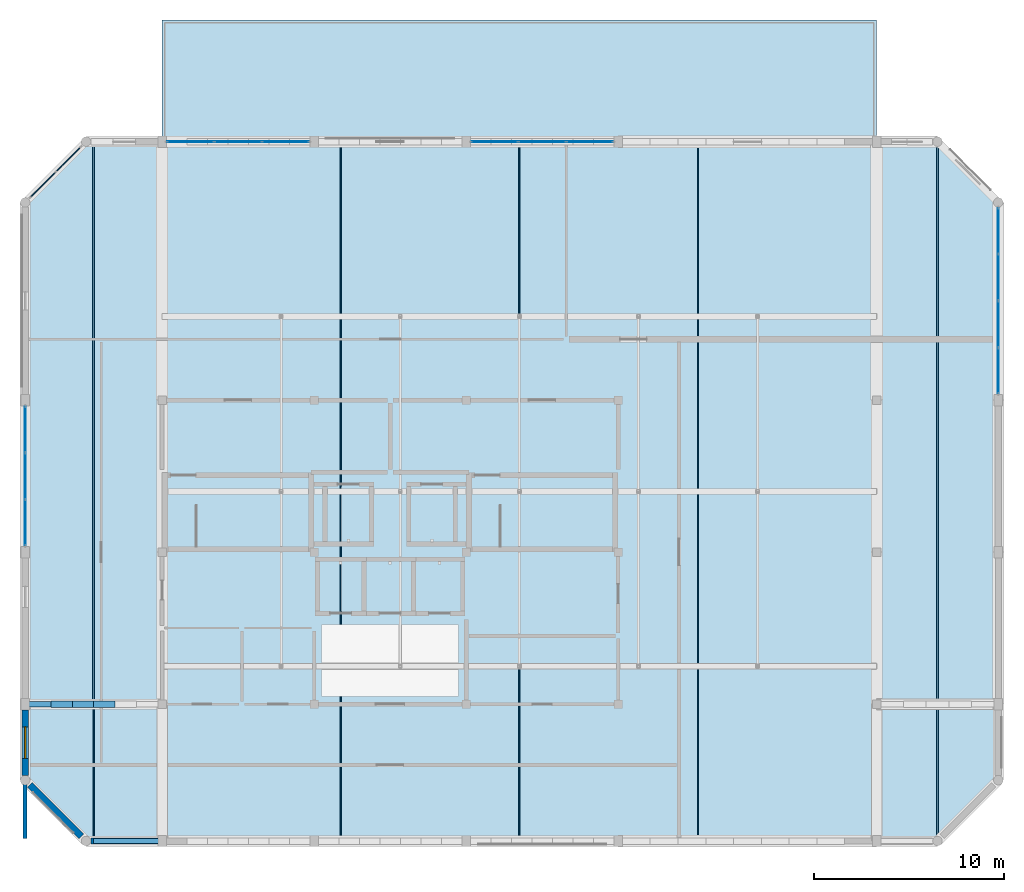
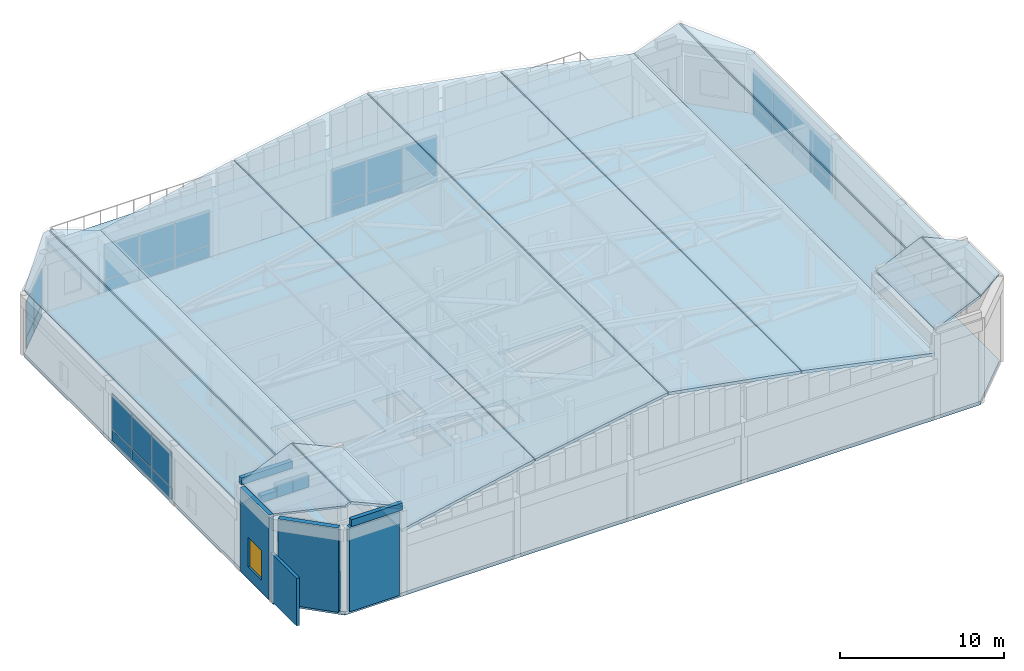
# One storey, part 18 of 24: 30 plates, 14 slabs, 9 walls, 1 window, 1 opening, 5 elements without a shape of their own.
"""IFC4 building model written with IfcOpenShell, lengths in metres."""

from ifc_helpers import new_model, si_unit, direction, frame, frame_2d, origin, origin_2d, place, context, subcontext, project, spatial, polyline, rectangle, outline, extrude, material, layer, layer_set, type_object, element, fill, aggregate, save


model = new_model("IFC4")

# Units and contexts
model_context = context("Model", 3, precision=1e-05, world=origin(), true_north=direction((0.0, 1.0)))
body_context = subcontext(model_context, "Body", "Model", "MODEL_VIEW")
ifc_project = project(units=[si_unit("LENGTHUNIT", "METRE"), si_unit("AREAUNIT", "SQUARE_METRE"), si_unit("VOLUMEUNIT", "CUBIC_METRE"), si_unit("PLANEANGLEUNIT", "RADIAN"), si_unit("MASSUNIT", "GRAM", prefix="KILO")], contexts=[model_context])

# Site, building, storey
site_placement = place(None, origin())
site = spatial("IfcSite", under=ifc_project, at=site_placement, CompositionType="ELEMENT")
building_placement = place(site_placement, origin())
building = spatial("IfcBuilding", under=site, at=building_placement, Name="Vellmiral Cinema and Media Centre", CompositionType="ELEMENT")
storey_placement = place(building_placement, frame((0.0, 0.0, 66.60009765625)))
storey = spatial("IfcBuildingStorey", under=building, at=storey_placement, Name="L16", CompositionType="ELEMENT", Elevation=66.60009765625)

# Curtain wall, plates
ifc_material_1 = material(Name="Thermally Broken Aluminium and Triple Glazing", Category="aluminium")
curtain_wall_type = type_object("IfcCurtainWallType", Name="CW-TOWER-HIGH", PredefinedType="USERDEFINED", material=ifc_material_1)
curtain_wall_1_placement = place(storey_placement, origin())
curtain_wall_1 = element("IfcCurtainWall", 1, at=curtain_wall_1_placement, inside=storey, type_object=curtain_wall_type, Name="Curtain Wall L16-B011", ObjectType="UNITISED CURTAIN WALL", PredefinedType="USERDEFINED")
ifc_material_2 = material(Name="Solar-Control Acoustic Triple Glazing", Category="glass")
ifc_layer_1 = layer(ifc_material_2, 0.0419921875, Name="Solar-Control Acoustic Triple Glazing")
ifc_layer_set_1 = layer_set([ifc_layer_1], Name="Solar-Control Acoustic Triple Glazing")
plate_type_1 = type_object("IfcPlateType", Name="CWP-SOLAR-42", PredefinedType="CURTAIN_PANEL", material=ifc_layer_set_1)
plate_1_placement = place(storey_placement, frame((168.0, 96.746337890625, 0.929931640625), z_axis=(0.0, 0.0, 1.0), x_axis=(0.0, 1.0, 0.0)))
plate_1 = element("IfcPlate", 2, at=plate_1_placement, type_object=plate_type_1, Name="CW-09 panel 1.2", PredefinedType="CURTAIN_PANEL", context=body_context, shape_type="SweptSolid", body=[
    extrude(rectangle(XDim=2.37255859375, YDim=0.0419921875, at=origin_2d()), origin(), (0.0, 0.0, 1.0), 2.60009765625),
])
plate_2_placement = place(storey_placement, frame((168.0, 99.19384765625, 0.929931640625), z_axis=(0.0, 0.0, 1.0), x_axis=(0.0, 1.0, 0.0)))
plate_2 = element("IfcPlate", 3, at=plate_2_placement, type_object=plate_type_1, Name="CW-09 panel 2.2", PredefinedType="CURTAIN_PANEL", context=body_context, shape_type="SweptSolid", body=[
    extrude(rectangle(XDim=2.402587890625, YDim=0.0419921875, at=origin_2d()), origin(), (0.0, 0.0, 1.0), 2.60009765625),
])
plate_3_placement = place(storey_placement, frame((168.0, 101.65625, 0.929931640625), z_axis=(0.0, 0.0, 1.0), x_axis=(0.0, 1.0, 0.0)))
plate_3 = element("IfcPlate", 4, at=plate_3_placement, type_object=plate_type_1, Name="CW-09 panel 3.2", PredefinedType="CURTAIN_PANEL", context=body_context, shape_type="SweptSolid", body=[
    extrude(rectangle(XDim=2.402587890625, YDim=0.0419921875, at=origin_2d()), origin(), (0.0, 0.0, 1.0), 2.60009765625),
])
plate_4_placement = place(storey_placement, frame((168.0, 104.103759765625, 0.929931640625), z_axis=(0.0, 0.0, 1.0), x_axis=(0.0, 1.0, 0.0)))
plate_4 = element("IfcPlate", 5, at=plate_4_placement, type_object=plate_type_1, Name="CW-09 panel 4.2", PredefinedType="CURTAIN_PANEL", context=body_context, shape_type="SweptSolid", body=[
    extrude(rectangle(XDim=2.37255859375, YDim=0.0419921875, at=origin_2d()), origin(), (0.0, 0.0, 1.0), 2.60009765625),
])

curtain_wall_2_placement = place(storey_placement, origin())
curtain_wall_2 = element("IfcCurtainWall", 6, at=curtain_wall_2_placement, inside=storey, type_object=curtain_wall_type, Name="Curtain Wall L16-B015", ObjectType="UNITISED CURTAIN WALL", PredefinedType="USERDEFINED")
plate_5_placement = place(storey_placement, frame((146.501708984375, 108.800048828125, 0.929931640625), z_axis=(0.0, 0.0, 1.0), x_axis=(-1.0, 0.0, 0.0)))
plate_5 = element("IfcPlate", 7, at=plate_5_placement, type_object=plate_type_1, Name="CW-09 panel 1.2", PredefinedType="CURTAIN_PANEL", context=body_context, shape_type="SweptSolid", body=[
    extrude(rectangle(XDim=2.4267578125, YDim=0.0419921875, at=origin_2d()), origin(), (0.0, 0.0, 1.0), 2.60009765625),
])
plate_6_placement = place(storey_placement, frame((144.0, 108.800048828125, 0.929931640625), z_axis=(0.0, 0.0, 1.0), x_axis=(-1.0, 0.0, 0.0)))
plate_6 = element("IfcPlate", 8, at=plate_6_placement, type_object=plate_type_1, Name="CW-09 panel 2.2", PredefinedType="CURTAIN_PANEL", context=body_context, shape_type="SweptSolid", body=[
    extrude(rectangle(XDim=2.456787109375, YDim=0.0419921875, at=origin_2d()), origin(), (0.0, 0.0, 1.0), 2.60009765625),
])
plate_7_placement = place(storey_placement, frame((141.498291015625, 108.800048828125, 0.929931640625), z_axis=(0.0, 0.0, 1.0), x_axis=(-1.0, 0.0, 0.0)))
plate_7 = element("IfcPlate", 9, at=plate_7_placement, type_object=plate_type_1, Name="CW-09 panel 3.2", PredefinedType="CURTAIN_PANEL", context=body_context, shape_type="SweptSolid", body=[
    extrude(rectangle(XDim=2.4267578125, YDim=0.0419921875, at=origin_2d()), origin(), (0.0, 0.0, 1.0), 2.60009765625),
])

curtain_wall_3_placement = place(storey_placement, origin())
curtain_wall_3 = element("IfcCurtainWall", 10, at=curtain_wall_3_placement, inside=storey, type_object=curtain_wall_type, Name="Curtain Wall L16-B017", ObjectType="UNITISED CURTAIN WALL", PredefinedType="USERDEFINED")
plate_8_placement = place(storey_placement, frame((130.501708984375, 108.800048828125, 0.929931640625), z_axis=(0.0, 0.0, 1.0), x_axis=(-1.0, 0.0, 0.0)))
plate_8 = element("IfcPlate", 11, at=plate_8_placement, type_object=plate_type_1, Name="CW-09 panel 1.2", PredefinedType="CURTAIN_PANEL", context=body_context, shape_type="SweptSolid", body=[
    extrude(rectangle(XDim=2.4267578125, YDim=0.0419921875, at=origin_2d()), origin(), (0.0, 0.0, 1.0), 2.60009765625),
])
plate_9_placement = place(storey_placement, frame((128.0, 108.800048828125, 0.929931640625), z_axis=(0.0, 0.0, 1.0), x_axis=(-1.0, 0.0, 0.0)))
plate_9 = element("IfcPlate", 12, at=plate_9_placement, type_object=plate_type_1, Name="CW-09 panel 2.2", PredefinedType="CURTAIN_PANEL", context=body_context, shape_type="SweptSolid", body=[
    extrude(rectangle(XDim=2.456787109375, YDim=0.0419921875, at=origin_2d()), origin(), (0.0, 0.0, 1.0), 2.60009765625),
])
plate_10_placement = place(storey_placement, frame((125.498291015625, 108.800048828125, 0.929931640625), z_axis=(0.0, 0.0, 1.0), x_axis=(-1.0, 0.0, 0.0)))
plate_10 = element("IfcPlate", 13, at=plate_10_placement, type_object=plate_type_1, Name="CW-09 panel 3.2", PredefinedType="CURTAIN_PANEL", context=body_context, shape_type="SweptSolid", body=[
    extrude(rectangle(XDim=2.4267578125, YDim=0.0419921875, at=origin_2d()), origin(), (0.0, 0.0, 1.0), 2.60009765625),
])

curtain_wall_4_placement = place(storey_placement, origin())
curtain_wall_4 = element("IfcCurtainWall", 14, at=curtain_wall_4_placement, inside=storey, type_object=curtain_wall_type, Name="Curtain Wall L16-B019", ObjectType="UNITISED CURTAIN WALL", PredefinedType="USERDEFINED")
plate_11_placement = place(storey_placement, frame((119.064453125, 107.864501953125, 0.929931640625), z_axis=(0.0, 0.0, 1.0), x_axis=(-0.707106781187, -0.707106781187, 0.0)))
plate_11 = element("IfcPlate", 15, at=plate_11_placement, type_object=plate_type_1, Name="CW-09 panel 1.2", PredefinedType="CURTAIN_PANEL", context=body_context, shape_type="SweptSolid", body=[
    extrude(rectangle(XDim=1.819091796875, YDim=0.0419921875, at=origin_2d()), origin(), (0.0, 0.0, 1.0), 2.6298828125),
])
plate_12_placement = place(storey_placement, frame((117.735595703125, 106.53564453125, 0.929931640625), z_axis=(0.0, 0.0, 1.0), x_axis=(-0.707106781187, -0.707106781187, 0.0)))
plate_12 = element("IfcPlate", 16, at=plate_12_placement, type_object=plate_type_1, Name="CW-09 panel 2.2", PredefinedType="CURTAIN_PANEL", context=body_context, shape_type="SweptSolid", body=[
    extrude(rectangle(XDim=1.819091796875, YDim=0.0419921875, at=origin_2d()), origin(), (0.0, 0.0, 1.0), 2.6298828125),
])

curtain_wall_5_placement = place(storey_placement, origin())
curtain_wall_5 = element("IfcCurtainWall", 17, at=curtain_wall_5_placement, inside=storey, type_object=curtain_wall_type, Name="Curtain Wall L16-B021", ObjectType="UNITISED CURTAIN WALL", PredefinedType="USERDEFINED")
plate_13_placement = place(storey_placement, frame((116.800048828125, 93.651611328125, 0.929931640625), z_axis=(0.0, 0.0, 1.0), x_axis=(0.0, -1.0, 0.0)))
plate_13 = element("IfcPlate", 18, at=plate_13_placement, type_object=plate_type_1, Name="CW-09 panel 1.2", PredefinedType="CURTAIN_PANEL", context=body_context, shape_type="SweptSolid", body=[
    extrude(rectangle(XDim=2.376708984375, YDim=0.0419921875, at=origin_2d()), origin(), (0.0, 0.0, 1.0), 2.6298828125),
])
plate_14_placement = place(storey_placement, frame((116.800048828125, 91.199951171875, 0.929931640625), z_axis=(0.0, 0.0, 1.0), x_axis=(0.0, -1.0, 0.0)))
plate_14 = element("IfcPlate", 19, at=plate_14_placement, type_object=plate_type_1, Name="CW-09 panel 2.2", PredefinedType="CURTAIN_PANEL", context=body_context, shape_type="SweptSolid", body=[
    extrude(rectangle(XDim=2.40673828125, YDim=0.0419921875, at=origin_2d()), origin(), (0.0, 0.0, 1.0), 2.6298828125),
])
plate_15_placement = place(storey_placement, frame((116.800048828125, 88.748291015625, 0.929931640625), z_axis=(0.0, 0.0, 1.0), x_axis=(0.0, -1.0, 0.0)))
plate_15 = element("IfcPlate", 20, at=plate_15_placement, type_object=plate_type_1, Name="CW-09 panel 3.2", PredefinedType="CURTAIN_PANEL", context=body_context, shape_type="SweptSolid", body=[
    extrude(rectangle(XDim=2.376708984375, YDim=0.0419921875, at=origin_2d()), origin(), (0.0, 0.0, 1.0), 2.6298828125),
])

# Plate
ifc_material_3 = material(Name="Polychrome Trencadis Ceramic Spandrel Panel", Category="ceramic")
ifc_layer_2 = layer(ifc_material_3, 0.052001953125, Name="Polychrome Trencadis Ceramic Spandrel Panel")
ifc_layer_set_2 = layer_set([ifc_layer_2], Name="Polychrome Trencadis Ceramic Spandrel Panel")
plate_type_2 = type_object("IfcPlateType", Name="CWP-TRENC-52", PredefinedType="CURTAIN_PANEL", material=ifc_layer_set_2)
plate_16_placement = place(storey_placement, frame((168.0, 96.746337890625, 0.059814453125), z_axis=(0.0, 0.0, 1.0), x_axis=(0.0, 1.0, 0.0)))
plate_16 = element("IfcPlate", 21, at=plate_16_placement, type_object=plate_type_2, Name="CW-09 panel 1.1", PredefinedType="CURTAIN_PANEL", context=body_context, shape_type="SweptSolid", body=[
    extrude(rectangle(XDim=2.37255859375, YDim=0.052001953125, at=origin_2d()), origin(), (0.0, 0.0, 1.0), 0.81005859375),
])

plate_17_placement = place(storey_placement, frame((168.0, 99.19384765625, 0.059814453125), z_axis=(0.0, 0.0, 1.0), x_axis=(0.0, 1.0, 0.0)))
plate_17 = element("IfcPlate", 22, at=plate_17_placement, type_object=plate_type_2, Name="CW-09 panel 2.1", PredefinedType="CURTAIN_PANEL", context=body_context, shape_type="SweptSolid", body=[
    extrude(rectangle(XDim=2.402587890625, YDim=0.052001953125, at=origin_2d()), origin(), (0.0, 0.0, 1.0), 0.81005859375),
])

plate_18_placement = place(storey_placement, frame((168.0, 101.65625, 0.059814453125), z_axis=(0.0, 0.0, 1.0), x_axis=(0.0, 1.0, 0.0)))
plate_18 = element("IfcPlate", 23, at=plate_18_placement, type_object=plate_type_2, Name="CW-09 panel 3.1", PredefinedType="CURTAIN_PANEL", context=body_context, shape_type="SweptSolid", body=[
    extrude(rectangle(XDim=2.402587890625, YDim=0.052001953125, at=origin_2d()), origin(), (0.0, 0.0, 1.0), 0.81005859375),
])

plate_19_placement = place(storey_placement, frame((168.0, 104.103759765625, 0.059814453125), z_axis=(0.0, 0.0, 1.0), x_axis=(0.0, 1.0, 0.0)))
plate_19 = element("IfcPlate", 24, at=plate_19_placement, type_object=plate_type_2, Name="CW-09 panel 4.1", PredefinedType="CURTAIN_PANEL", context=body_context, shape_type="SweptSolid", body=[
    extrude(rectangle(XDim=2.37255859375, YDim=0.052001953125, at=origin_2d()), origin(), (0.0, 0.0, 1.0), 0.81005859375),
])

aggregate(curtain_wall_1, [plate_16, plate_1, plate_17, plate_2, plate_18, plate_3, plate_19, plate_4])

plate_20_placement = place(storey_placement, frame((146.501708984375, 108.800048828125, 0.059814453125), z_axis=(0.0, 0.0, 1.0), x_axis=(-1.0, 0.0, 0.0)))
plate_20 = element("IfcPlate", 25, at=plate_20_placement, type_object=plate_type_2, Name="CW-09 panel 1.1", PredefinedType="CURTAIN_PANEL", context=body_context, shape_type="SweptSolid", body=[
    extrude(rectangle(XDim=2.4267578125, YDim=0.052001953125, at=origin_2d()), origin(), (0.0, 0.0, 1.0), 0.81005859375),
])

plate_21_placement = place(storey_placement, frame((144.0, 108.800048828125, 0.059814453125), z_axis=(0.0, 0.0, 1.0), x_axis=(-1.0, 0.0, 0.0)))
plate_21 = element("IfcPlate", 26, at=plate_21_placement, type_object=plate_type_2, Name="CW-09 panel 2.1", PredefinedType="CURTAIN_PANEL", context=body_context, shape_type="SweptSolid", body=[
    extrude(rectangle(XDim=2.456787109375, YDim=0.052001953125, at=origin_2d()), origin(), (0.0, 0.0, 1.0), 0.81005859375),
])

plate_22_placement = place(storey_placement, frame((141.498291015625, 108.800048828125, 0.059814453125), z_axis=(0.0, 0.0, 1.0), x_axis=(-1.0, 0.0, 0.0)))
plate_22 = element("IfcPlate", 27, at=plate_22_placement, type_object=plate_type_2, Name="CW-09 panel 3.1", PredefinedType="CURTAIN_PANEL", context=body_context, shape_type="SweptSolid", body=[
    extrude(rectangle(XDim=2.4267578125, YDim=0.052001953125, at=origin_2d()), origin(), (0.0, 0.0, 1.0), 0.81005859375),
])

aggregate(curtain_wall_2, [plate_20, plate_5, plate_21, plate_6, plate_22, plate_7])

plate_23_placement = place(storey_placement, frame((130.501708984375, 108.800048828125, 0.059814453125), z_axis=(0.0, 0.0, 1.0), x_axis=(-1.0, 0.0, 0.0)))
plate_23 = element("IfcPlate", 28, at=plate_23_placement, type_object=plate_type_2, Name="CW-09 panel 1.1", PredefinedType="CURTAIN_PANEL", context=body_context, shape_type="SweptSolid", body=[
    extrude(rectangle(XDim=2.4267578125, YDim=0.052001953125, at=origin_2d()), origin(), (0.0, 0.0, 1.0), 0.81005859375),
])

plate_24_placement = place(storey_placement, frame((128.0, 108.800048828125, 0.059814453125), z_axis=(0.0, 0.0, 1.0), x_axis=(-1.0, 0.0, 0.0)))
plate_24 = element("IfcPlate", 29, at=plate_24_placement, type_object=plate_type_2, Name="CW-09 panel 2.1", PredefinedType="CURTAIN_PANEL", context=body_context, shape_type="SweptSolid", body=[
    extrude(rectangle(XDim=2.456787109375, YDim=0.052001953125, at=origin_2d()), origin(), (0.0, 0.0, 1.0), 0.81005859375),
])

plate_25_placement = place(storey_placement, frame((125.498291015625, 108.800048828125, 0.059814453125), z_axis=(0.0, 0.0, 1.0), x_axis=(-1.0, 0.0, 0.0)))
plate_25 = element("IfcPlate", 30, at=plate_25_placement, type_object=plate_type_2, Name="CW-09 panel 3.1", PredefinedType="CURTAIN_PANEL", context=body_context, shape_type="SweptSolid", body=[
    extrude(rectangle(XDim=2.4267578125, YDim=0.052001953125, at=origin_2d()), origin(), (0.0, 0.0, 1.0), 0.81005859375),
])

aggregate(curtain_wall_3, [plate_23, plate_8, plate_24, plate_9, plate_25, plate_10])

plate_26_placement = place(storey_placement, frame((119.064453125, 107.864501953125, 0.059814453125), z_axis=(0.0, 0.0, 1.0), x_axis=(-0.707106781187, -0.707106781187, 0.0)))
plate_26 = element("IfcPlate", 31, at=plate_26_placement, type_object=plate_type_2, Name="CW-09 panel 1.1", PredefinedType="CURTAIN_PANEL", context=body_context, shape_type="SweptSolid", body=[
    extrude(rectangle(XDim=1.819091796875, YDim=0.052001953125, at=origin_2d()), origin(), (0.0, 0.0, 1.0), 0.81005859375),
])

plate_27_placement = place(storey_placement, frame((117.735595703125, 106.53564453125, 0.059814453125), z_axis=(0.0, 0.0, 1.0), x_axis=(-0.707106781187, -0.707106781187, 0.0)))
plate_27 = element("IfcPlate", 32, at=plate_27_placement, type_object=plate_type_2, Name="CW-09 panel 2.1", PredefinedType="CURTAIN_PANEL", context=body_context, shape_type="SweptSolid", body=[
    extrude(rectangle(XDim=1.819091796875, YDim=0.052001953125, at=origin_2d()), origin(), (0.0, 0.0, 1.0), 0.81005859375),
])

aggregate(curtain_wall_4, [plate_26, plate_11, plate_27, plate_12])

plate_28_placement = place(storey_placement, frame((116.800048828125, 93.651611328125, 0.059814453125), z_axis=(0.0, 0.0, 1.0), x_axis=(0.0, -1.0, 0.0)))
plate_28 = element("IfcPlate", 33, at=plate_28_placement, type_object=plate_type_2, Name="CW-09 panel 1.1", PredefinedType="CURTAIN_PANEL", context=body_context, shape_type="SweptSolid", body=[
    extrude(rectangle(XDim=2.376708984375, YDim=0.052001953125, at=origin_2d()), origin(), (0.0, 0.0, 1.0), 0.81005859375),
])

plate_29_placement = place(storey_placement, frame((116.800048828125, 91.199951171875, 0.059814453125), z_axis=(0.0, 0.0, 1.0), x_axis=(0.0, -1.0, 0.0)))
plate_29 = element("IfcPlate", 34, at=plate_29_placement, type_object=plate_type_2, Name="CW-09 panel 2.1", PredefinedType="CURTAIN_PANEL", context=body_context, shape_type="SweptSolid", body=[
    extrude(rectangle(XDim=2.40673828125, YDim=0.052001953125, at=origin_2d()), origin(), (0.0, 0.0, 1.0), 0.81005859375),
])

plate_30_placement = place(storey_placement, frame((116.800048828125, 88.748291015625, 0.059814453125), z_axis=(0.0, 0.0, 1.0), x_axis=(0.0, -1.0, 0.0)))
plate_30 = element("IfcPlate", 35, at=plate_30_placement, type_object=plate_type_2, Name="CW-09 panel 3.1", PredefinedType="CURTAIN_PANEL", context=body_context, shape_type="SweptSolid", body=[
    extrude(rectangle(XDim=2.376708984375, YDim=0.052001953125, at=origin_2d()), origin(), (0.0, 0.0, 1.0), 0.81005859375),
])

aggregate(curtain_wall_5, [plate_28, plate_13, plate_29, plate_14, plate_30, plate_15])

# Slabs
ifc_material_4 = material(Name="Concrete C40/50", Category="concrete")
ifc_layer_3 = layer(ifc_material_4, 0.260009765625, Name="Concrete C40/50")
ifc_layer_set_3 = layer_set([ifc_layer_3], Name="Concrete C40/50")
slab_type_1 = type_object("IfcSlabType", Name="SLB-FLR-260", PredefinedType="FLOOR", material=ifc_layer_set_3)
slab_1_placement = place(storey_placement, frame((0.0, 0.0, -0.260009765625)))
element("IfcSlab", 36, at=slab_1_placement, inside=storey, type_object=slab_type_1, Name="L16 Structural Slab", PredefinedType="FLOOR", context=body_context, shape_type="SweptSolid", body=[
    extrude(outline(polyline([(120.0, 72.0), (164.800048828125, 72.0), (168.0, 75.199951171875), (168.0, 105.60009765625), (164.800048828125, 108.800048828125), (120.0, 108.800048828125), (116.800048828125, 105.60009765625), (116.800048828125, 75.199951171875), (120.0, 72.0)]), holes=[polyline([(125.85009765625, 87.3798828125), (131.820068359375, 87.3798828125), (131.820068359375, 91.219970703125), (125.85009765625, 91.219970703125), (125.85009765625, 87.3798828125)]), polyline([(141.85009765625, 87.3798828125), (147.820068359375, 87.3798828125), (147.820068359375, 91.219970703125), (141.85009765625, 91.219970703125), (141.85009765625, 87.3798828125)]), polyline([(132.699951171875, 87.75), (134.89990234375, 87.75), (134.89990234375, 90.64990234375), (132.699951171875, 90.64990234375), (132.699951171875, 87.75)]), polyline([(137.10009765625, 87.75), (139.300048828125, 87.75), (139.300048828125, 90.64990234375), (137.10009765625, 90.64990234375), (137.10009765625, 87.75)]), polyline([(132.300048828125, 84.10009765625), (134.5, 84.10009765625), (134.5, 86.699951171875), (132.300048828125, 86.699951171875), (132.300048828125, 84.10009765625)]), polyline([(134.89990234375, 84.10009765625), (137.10009765625, 84.10009765625), (137.10009765625, 86.699951171875), (134.89990234375, 86.699951171875), (134.89990234375, 84.10009765625)]), polyline([(137.5, 84.10009765625), (139.699951171875, 84.10009765625), (139.699951171875, 86.699951171875), (137.5, 86.699951171875), (137.5, 84.10009765625)])]), origin(), (0.0, 0.0, 1.0), 0.260009765625),
])
ifc_material_5 = material(Name="Concrete C40/50", Category="concrete")
ifc_layer_4 = layer(ifc_material_5, 0.179931640625, Name="Concrete C40/50")
ifc_layer_set_4 = layer_set([ifc_layer_4], Name="Concrete C40/50")
slab_type_2 = type_object("IfcSlabType", Name="SLB-ROOF-180", PredefinedType="ROOF", material=ifc_layer_set_4)
slab_2_placement = place(storey_placement, frame((120.0, 72.0, 7.901611328125), z_axis=(-0.406775626605, -4.376692e-06, 0.91352810005), x_axis=(0.913528100059, 5.48e-10, 0.406775626609)))
element("IfcSlab", 37, at=slab_2_placement, inside=storey, type_object=slab_type_2, Name="Torratxa Turret Pitched Roof Slab SW-A", PredefinedType="ROOF", context=body_context, shape_type="SweptSolid", body=[
    extrude(outline(polyline([(0.0, 0.0), (0.3918107126127268, -1.0587911840678754e-22), (0.39181071655513217, 7.199951171806041), (-3.502821129934422, 7.1999511739998825), (-3.5028211321246623, 3.199951174038193), (0.0, 0.0)])), origin(), (0.0, 0.0, -1.0), 0.179931640625),
])
slab_3_placement = place(storey_placement, frame((120.44189453125, 72.0, 8.06103515625), z_axis=(0.406749048544, 0.0, 0.913539934271), x_axis=(0.913539934271, 0.0, -0.406749048544)))
element("IfcSlab", 38, at=slab_3_placement, inside=storey, type_object=slab_type_2, Name="Torratxa Turret Pitched Roof Slab SW-B", PredefinedType="ROOF", context=body_context, shape_type="SweptSolid", body=[
    extrude(outline(polyline([(0.0, 0.0), (3.8948548774592426, 0.0), (3.8948548774592426, 7.199951171875), (0.0, 7.199951171875), (0.0, 0.0)])), origin(), (0.0, 0.0, -1.0), 0.179931640625),
])
slab_4_placement = place(storey_placement, frame((161.60009765625, 72.0, 6.476806640625), z_axis=(-0.40673469537, 0.0, 0.913546324815), x_axis=(0.913546324815, 0.0, 0.40673469537)))
element("IfcSlab", 39, at=slab_4_placement, inside=storey, type_object=slab_type_2, Name="Torratxa Turret Pitched Roof Slab SE-A", PredefinedType="ROOF", context=body_context, shape_type="SweptSolid", body=[
    extrude(outline(polyline([(0.0, 0.0), (3.4568131889923723, 0.0), (3.4568131889923723, 7.199951171875002), (0.0, 7.199951171875002), (0.0, 0.0)])), origin(), (0.0, 0.0, -1.0), 0.179931640625),
])
slab_5_placement = place(storey_placement, frame((164.842041015625, 72.0, 7.8828125), z_axis=(0.40673469537, 0.0, 0.913546324815), x_axis=(0.67040187938, 0.679316384464, -0.298480434739)))
element("IfcSlab", 40, at=slab_5_placement, inside=storey, type_object=slab_type_2, Name="Torratxa Turret Pitched Roof Slab SE-B", PredefinedType="ROOF", context=body_context, shape_type="SweptSolid", body=[
    extrude(outline(polyline([(0.0, 0.0), (4.710546138822526, 3.885780586188048e-16), (7.4278116766778695, 2.935382087017585), (4.891044798394283, 5.283651924330786), (0.0, 0.0)])), origin(), (0.0, 0.0, -1.0), 0.179931640625),
])
ifc_material_6 = material(Name="Concrete C40/50", Category="concrete")
ifc_layer_5 = layer(ifc_material_6, 0.219970703125, Name="Concrete C40/50")
ifc_layer_set_5 = layer_set([ifc_layer_5], Name="Concrete C40/50")
slab_type_3 = type_object("IfcSlabType", Name="SLB-ROOF-220", PredefinedType="ROOF", material=ifc_layer_set_5)
slab_6_placement = place(storey_placement, frame((124.0, 72.0, 4.724609375), z_axis=(-0.204493129752, 0.0, 0.978867999214), x_axis=(0.978867999214, 0.0, 0.204493129752)))
element("IfcSlab", 41, at=slab_6_placement, inside=storey, type_object=slab_type_3, Name="Tower Crown Catalan Barrel Vault Structural Roof Slab A1", PredefinedType="ROOF", context=body_context, shape_type="SweptSolid", body=[
    extrude(outline(polyline([(0.0, 0.0), (9.570156476052993, 0.0), (9.570156476052993, 36.80004882812501), (0.0, 36.80004882812501), (0.0, 0.0)])), origin(), (0.0, 0.0, -1.0), 0.219970703125),
])
for number, where, z_axis, x_axis, name in (
    (42, (133.431884765625, 72.0, 6.687255859375), (-0.177070196507, 0.0, 0.984198224703), (0.984198224703, 0.0, 0.177070196507), "Tower Crown Catalan Barrel Vault Structural Roof Slab A2"),
    (43, (142.8359375, 72.0, 8.3662109375), (0.177070196507, 0.0, 0.984198224703), (0.984198224703, 0.0, -0.177070196507), "Tower Crown Catalan Barrel Vault Structural Roof Slab B2"),
):
    element("IfcSlab", number, at=place(storey_placement, frame(where, z_axis=z_axis, x_axis=x_axis)), inside=storey, type_object=slab_type_3, Name=name, PredefinedType="ROOF", context=body_context, shape_type="SweptSolid", body=[
        extrude(outline(polyline([(0.0, 0.0), (9.481861494735002, 0.0), (9.481861494735002, 36.80004882812501), (0.0, 36.80004882812501), (0.0, 0.0)])), origin(), (0.0, 0.0, -1.0), 0.219970703125),
    ])
slab_7_placement = place(storey_placement, frame((152.23193359375, 72.0, 6.681640625), z_axis=(0.20448802337, 0.0, 0.978869065962), x_axis=(0.978869065962, 0.0, -0.20448802337)))
element("IfcSlab", 44, at=slab_7_placement, inside=storey, type_object=slab_type_3, Name="Tower Crown Catalan Barrel Vault Structural Roof Slab B1", PredefinedType="ROOF", context=body_context, shape_type="SweptSolid", body=[
    extrude(outline(polyline([(0.0, 0.0), (9.570395457628337, 0.0), (9.570395457628337, 36.800048828125), (0.0, 36.800048828125), (0.0, 0.0)])), origin(), (0.0, 0.0, -1.0), 0.219970703125),
])
slab_8_placement = place(storey_placement, frame((116.800048828125, 79.199951171875, 4.73388671875), z_axis=(-0.342049475546, 8.215e-08, 0.939681944212), x_axis=(0.939681944212, 0.0, 0.342049475546)))
element("IfcSlab", 45, at=slab_8_placement, inside=storey, type_object=slab_type_3, Name="Tower Crown West Gallery Vault Structural Roof Slab A", PredefinedType="ROOF", context=body_context, shape_type="SweptSolid", body=[
    extrude(outline(polyline([(0.0, 0.0), (3.775067950578192, 1.3234889800848443e-23), (3.7750679505783613, 29.6000976562499), (3.4053538307182523, 29.60009765625028), (1.510232156905294e-13, 26.40014648437491), (0.0, 0.0)])), origin(), (0.0, 0.0, -1.0), 0.219970703125),
])
slab_9_placement = place(storey_placement, frame((120.45263671875, 79.199951171875, 6.025146484375), z_axis=(0.342049410111, 0.0, 0.939681968031), x_axis=(0.939681968031, 0.0, -0.342049410111)))
element("IfcSlab", 46, at=slab_9_placement, inside=storey, type_object=slab_type_3, Name="Tower Crown West Gallery Vault Structural Roof Slab B", PredefinedType="ROOF", context=body_context, shape_type="SweptSolid", body=[
    extrude(outline(polyline([(0.0, 0.0), (3.775067950578201, 0.0), (3.775067950578201, 29.60009765625), (0.0, 29.60009765625), (0.0, 0.0)])), origin(), (0.0, 0.0, -1.0), 0.219970703125),
])
slab_10_placement = place(storey_placement, frame((161.60009765625, 79.199951171875, 4.73388671875), z_axis=(-0.34208835217, 0.0, 0.939667791993), x_axis=(0.939667791993, 0.0, 0.34208835217)))
element("IfcSlab", 47, at=slab_10_placement, inside=storey, type_object=slab_type_3, Name="Tower Crown East Gallery Vault Structural Roof Slab A", PredefinedType="ROOF", context=body_context, shape_type="SweptSolid", body=[
    extrude(outline(polyline([(0.0, 0.0), (3.3492866560839323, 0.0), (3.3492866560839323, 29.60009765625), (0.0, 29.60009765625), (0.0, 0.0)])), origin(), (0.0, 0.0, -1.0), 0.219970703125),
])
slab_11_placement = place(storey_placement, frame((164.8525390625, 79.199951171875, 5.879638671875), z_axis=(0.342064922154, 0.0, 0.939676321417), x_axis=(0.939676321417, 0.0, -0.342064922154)))
element("IfcSlab", 48, at=slab_11_placement, inside=storey, type_object=slab_type_3, Name="Tower Crown East Gallery Vault Structural Roof Slab B", PredefinedType="ROOF", context=body_context, shape_type="SweptSolid", body=[
    extrude(outline(polyline([(0.0, 0.0), (3.349516068207187, 0.0), (3.349516068207187, 26.400146484375007), (0.0, 29.600097656250007), (0.0, 0.0)])), origin(), (0.0, 0.0, -1.0), 0.219970703125),
])
ifc_material_7 = material(Name="Concrete C40/50", Category="concrete")
ifc_layer_6 = layer(ifc_material_7, 0.2900390625, Name="Concrete C40/50")
ifc_layer_set_6 = layer_set([ifc_layer_6], Name="Concrete C40/50")
slab_type_4 = type_object("IfcSlabType", Name="SLB-TERR-290", PredefinedType="FLOOR", material=ifc_layer_set_6)
slab_12_placement = place(storey_placement, frame((0.0, 0.0, -0.2900390625)))
element("IfcSlab", 49, at=slab_12_placement, inside=storey, type_object=slab_type_4, Name="Crown Observatory Terrace", PredefinedType="FLOOR", context=body_context, shape_type="SweptSolid", body=[
    extrude(outline(polyline([(124.0, 108.800048828125), (161.60009765625, 108.800048828125), (161.60009765625, 115.199951171875), (124.0, 115.199951171875), (124.0, 108.800048828125)])), origin(), (0.0, 0.0, 1.0), 0.2900390625),
])

# Walls
ifc_material_8 = material(Name="Concrete C40/50", Category="concrete")
ifc_layer_7 = layer(ifc_material_8, 0.2099609375, Name="Concrete C40/50")
ifc_layer_set_7 = layer_set([ifc_layer_7], Name="Concrete C40/50")
wall_type_1 = type_object("IfcWallType", Name="WL-COMP-210", PredefinedType="SOLIDWALL", material=ifc_layer_set_7)
wall_1_placement = place(storey_placement, frame((116.800048828125, 72.139892578125, 0.0), z_axis=(0.0, 0.0, 1.0), x_axis=(0.0, 1.0, 0.0)))
element("IfcWall", 50, at=wall_1_placement, inside=storey, type_object=wall_type_1, Name="Crown Smoke-Extract and AHU Plant Room Wall W", PredefinedType="SOLIDWALL", context=body_context, shape_type="SweptSolid", body=[
    extrude(rectangle(XDim=3.170166015625, YDim=0.2099609375, at=frame_2d((1.5849609375, 0.0))), origin(), (0.0, 0.0, 1.0), 3.5498046875),
])
ifc_material_9 = material(Name="Polychrome Glazed Ceramic Cladding", Category="masonry")
ifc_layer_8 = layer(ifc_material_9, 0.320068359375, Name="Polychrome Glazed Ceramic Cladding")
ifc_layer_set_8 = layer_set([ifc_layer_8], Name="Polychrome Glazed Ceramic Cladding")
wall_type_2 = type_object("IfcWallType", Name="WL-EXT-BRICK-320", PredefinedType="SOLIDWALL", material=ifc_layer_set_8)
wall_2_placement = place(storey_placement, frame((120.25, 72.0, 0.0), z_axis=(0.0, 0.0, 1.0), x_axis=(1.0, 0.0, 0.0)))
element("IfcWall", 51, at=wall_2_placement, inside=storey, type_object=wall_type_2, Name="Exterior Facade Wall L16-001", PredefinedType="SOLIDWALL", context=body_context, shape_type="SweptSolid", body=[
    extrude(rectangle(XDim=3.52490234375, YDim=0.320068359375, at=frame_2d((1.762451171875, 0.0))), origin(), (0.0, 0.0, 1.0), 6.27978515625),
])

# Wall, opening, window
wall_3_placement = place(storey_placement, frame((116.800048828125, 78.89990234375, 0.0), z_axis=(0.0, 0.0, 1.0), x_axis=(0.0, -1.0, 0.0)))
wall_3 = element("IfcWall", 52, at=wall_3_placement, inside=storey, type_object=wall_type_2, Name="Exterior Facade Wall L16-023", PredefinedType="SOLIDWALL", context=body_context, shape_type="SweptSolid", body=[
    extrude(rectangle(XDim=3.449951171875, YDim=0.320068359375, at=frame_2d((1.72509765625, 0.0))), origin(), (0.0, 0.0, 1.0), 6.27978515625),
])
opening_placement = place(wall_3_placement, frame((0.89990234375, 0.0, 0.89990234375)))
opening = element("IfcOpeningElement", 53, at=opening_placement, cuts=wall_3, Name="Opening WN-15", PredefinedType="OPENING", context=body_context, shape_type="SweptSolid", body=[
    extrude(rectangle(XDim=1.64990234375, YDim=2.199951171875, at=frame_2d((0.824951171875, 1.10009765625))), frame((0.0, 0.171875, 0.0), z_axis=(0.0, -1.0, 0.0), x_axis=(1.0, 0.0, 0.0)), (0.0, 0.0, 1.0), 0.343994140625),
])
ifc_material_10 = material(Name="Thermally Broken Aluminium Triple Glazing", Category="aluminium")
window_type = type_object("IfcWindowType", Name="WN-1650x2200", PartitioningType="TRIPLE_PANEL_HORIZONTAL", PredefinedType="WINDOW", material=ifc_material_10)
window_placement = place(opening_placement, origin())
window = element("IfcWindow", 54, at=window_placement, inside=storey, type_object=window_type, Name="Window L16-023", OverallHeight=2.199951171875, OverallWidth=1.64990234375, PartitioningType="TRIPLE_PANEL_HORIZONTAL", PredefinedType="WINDOW", context=body_context, shape_type="SweptSolid", body=[
    extrude(rectangle(XDim=1.64990234375, YDim=2.199951171875, at=frame_2d((0.824951171875, 1.10009765625))), frame((0.0, 0.030029296875, 0.0), z_axis=(0.0, -1.0, 0.0), x_axis=(1.0, 0.0, 0.0)), (0.0, 0.0, 1.0), 0.06005859375),
])
fill(opening, window)

# Walls
ifc_material_11 = material(Name="Vosges Red Sandstone Masonry", Category="masonry")
ifc_layer_9 = layer(ifc_material_11, 0.340087890625, Name="Vosges Red Sandstone Masonry")
ifc_layer_set_9 = layer_set([ifc_layer_9], Name="Vosges Red Sandstone Masonry")
wall_type_3 = type_object("IfcWallType", Name="WL-EXT-SAND-340", PredefinedType="SOLIDWALL", material=ifc_layer_set_9)
wall_4_placement = place(storey_placement, frame((117.050048828125, 74.949951171875, 0.0), z_axis=(0.0, 0.0, 1.0), x_axis=(0.707106781187, -0.707106781187, 0.0)))
element("IfcWall", 55, at=wall_4_placement, inside=storey, type_object=wall_type_3, Name="Exterior Facade Wall L16-024", PredefinedType="SOLIDWALL", context=body_context, shape_type="SweptSolid", body=[
    extrude(rectangle(XDim=3.818359375, YDim=0.340087890625, at=frame_2d((1.9091796875, 0.0))), origin(), (0.0, 0.0, 1.0), 6.27978515625),
])
wall_5_placement = place(storey_placement, frame((118.14990234375, 79.199951171875, 4.5), z_axis=(0.0, 0.0, 1.0), x_axis=(1.0, 0.0, 0.0)))
element("IfcWall", 56, at=wall_5_placement, inside=storey, type_object=wall_type_3, Name="Tower Crown West Gallery Vault Gable End Wall S-1", PredefinedType="SOLIDWALL", context=body_context, shape_type="SweptSolid", body=[
    extrude(rectangle(XDim=1.125, YDim=0.340087890625, at=frame_2d((0.5625, 0.0))), origin(), (0.0, 0.0, 1.0), 0.4912109375),
])
for number, where, z_axis, x_axis, name in (
    (57, (119.27490234375, 79.199951171875, 4.5), (0.0, 0.0, 1.0), (1.0, 0.0, 0.0), "Tower Crown West Gallery Vault Gable End Wall S-2"),
    (58, (120.39990234375, 79.199951171875, 4.5), (0.0, 0.0, 1.0), (1.0, 0.0, 0.0), "Tower Crown West Gallery Vault Gable End Wall S-3"),
):
    element("IfcWall", number, at=place(storey_placement, frame(where, z_axis=z_axis, x_axis=x_axis)), inside=storey, type_object=wall_type_3, Name=name, PredefinedType="SOLIDWALL", context=body_context, shape_type="SweptSolid", body=[
        extrude(rectangle(XDim=1.125, YDim=0.340087890625, at=frame_2d((0.5625, 0.0))), origin(), (0.0, 0.0, 1.0), 0.900634765625),
    ])
ifc_material_12 = material(Name="Vosges Red Sandstone Masonry", Category="masonry")
ifc_layer_10 = layer(ifc_material_12, 0.280029296875, Name="Vosges Red Sandstone Masonry")
ifc_layer_set_10 = layer_set([ifc_layer_10], Name="Vosges Red Sandstone Masonry")
wall_type_4 = type_object("IfcWallType", Name="WL-TURRET-280", PredefinedType="SOLIDWALL", material=ifc_layer_set_10)
wall_6_placement = place(storey_placement, frame((120.39990234375, 72.0, 6.27978515625), z_axis=(0.0, 0.0, 1.0), x_axis=(1.0, 0.0, 0.0)))
element("IfcWall", 59, at=wall_6_placement, inside=storey, type_object=wall_type_4, Name="Torratxa Turret Gable SW-S2", PredefinedType="SOLIDWALL", context=body_context, shape_type="SweptSolid", body=[
    extrude(rectangle(XDim=3.60009765625, YDim=0.280029296875, at=frame_2d((1.800048828125, 0.0))), origin(), (0.0, 0.0, 1.0), 0.52099609375),
])
wall_7_placement = place(storey_placement, frame((116.800048828125, 79.199951171875, 6.27978515625), z_axis=(0.0, 0.0, 1.0), x_axis=(1.0, 0.0, 0.0)))
element("IfcWall", 60, at=wall_7_placement, inside=storey, type_object=wall_type_4, Name="Torratxa Turret Gable SW-N1", PredefinedType="SOLIDWALL", context=body_context, shape_type="SweptSolid", body=[
    extrude(rectangle(XDim=3.599853515625, YDim=0.280029296875, at=frame_2d((1.7998046875, 0.0))), origin(), (0.0, 0.0, 1.0), 0.52099609375),
])

save(model, "model.ifc")
